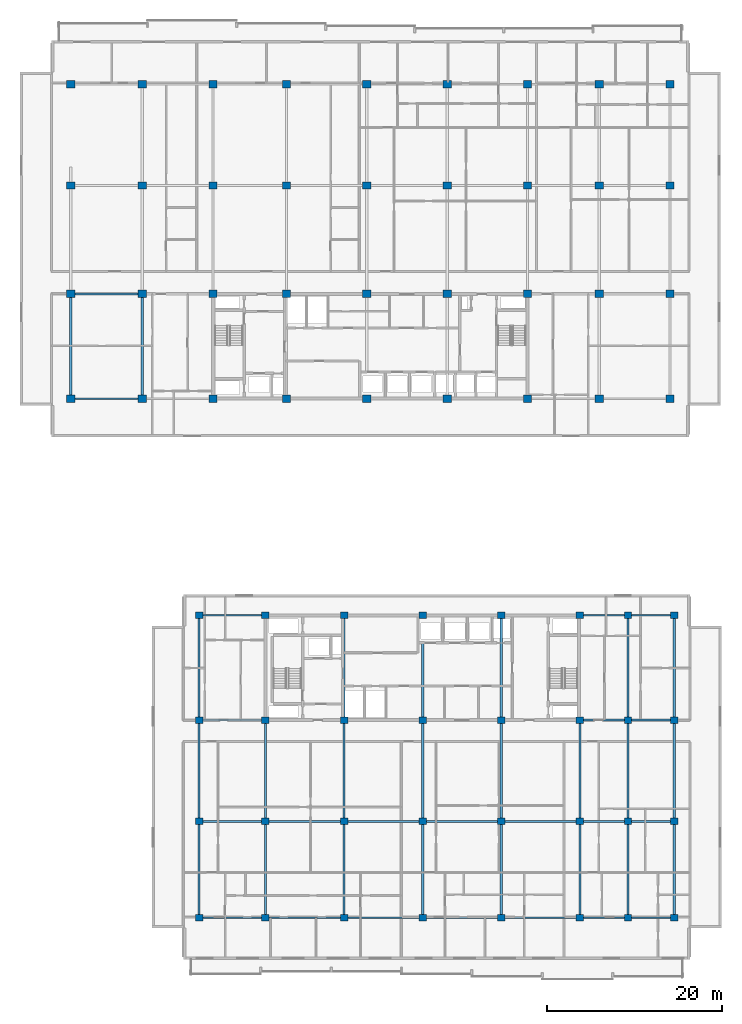
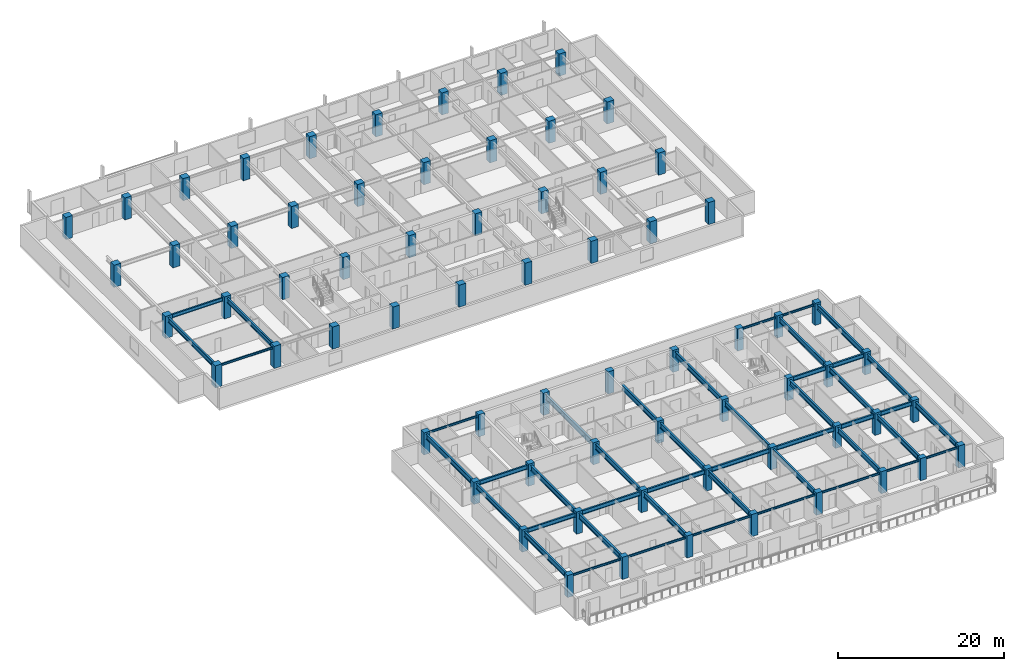
# One storey, part 1 of 22: 68 columns, 46 beams.
"""IFC4 building model written with IfcOpenShell, lengths in metres."""

from ifc_helpers import new_model, si_unit, direction, frame, origin, origin_2d, place, context, subcontext, project, spatial, rectangle, i_section, extrude, material, material_profile, profile_set, type_object, element, save


model = new_model("IFC4")

# Units and contexts
model_context = context("Model", 3, precision=1e-05, world=origin(), true_north=direction((0.0, 1.0)))
body_context = subcontext(model_context, "Body", "Model", "MODEL_VIEW")
ifc_project = project(units=[si_unit("LENGTHUNIT", "METRE"), si_unit("AREAUNIT", "SQUARE_METRE"), si_unit("VOLUMEUNIT", "CUBIC_METRE"), si_unit("PLANEANGLEUNIT", "RADIAN"), si_unit("MASSUNIT", "GRAM", prefix="KILO")], contexts=[model_context])

# Site, building, storey
site_placement = place(None, origin())
site = spatial("IfcSite", under=ifc_project, at=site_placement, CompositionType="ELEMENT")
building_placement = place(site_placement, origin())
building = spatial("IfcBuilding", under=site, at=building_placement, Name="Korimba Cascade Residences", CompositionType="ELEMENT")
storey_placement = place(building_placement, frame((0.0, 0.0, 132.800048828125)))
storey = spatial("IfcBuildingStorey", under=building, at=storey_placement, Name="L38", CompositionType="ELEMENT", Elevation=132.800048828125)

# Columns
ifc_material_1 = material(Name="Concrete C65/80", Category="concrete")
ifc_material_profile_1 = material_profile(ifc_material_1, rectangle(XDim=0.85009765625, YDim=0.75, at=origin_2d()), Name="Concrete C65/80")
ifc_profile_set_1 = profile_set([ifc_material_profile_1], Name="Concrete C65/80")
column_type_1 = type_object("IfcColumnType", Name="COL-RC-850", PredefinedType="COLUMN", material=ifc_profile_set_1)
for number, where, z_axis, x_axis, name in (
    (1, (74.5, -4.199951171875, 0.0), (0.0, 0.0, 1.0), (1.0, 0.0, 0.0), "L38 Tower 2 Column 1.1"),
    (2, (74.5, 6.800048828125, 0.0), (0.0, 0.0, 1.0), (1.0, 0.0, 0.0), "L38 Tower 2 Column 1.2"),
    (3, (74.5, 18.39990234375, 0.0), (0.0, 0.0, 1.0), (1.0, 0.0, 0.0), "L38 Tower 2 Column 1.3"),
    (4, (74.5, 30.39990234375, 0.0), (0.0, 0.0, 1.0), (1.0, 0.0, 0.0), "L38 Tower 2 Column 1.4"),
    (5, (82.10009765625, -4.199951171875, 0.0), (0.0, 0.0, 1.0), (1.0, 0.0, 0.0), "L38 Tower 2 Column 2.1"),
    (6, (82.10009765625, 6.800048828125, 0.0), (0.0, 0.0, 1.0), (1.0, 0.0, 0.0), "L38 Tower 2 Column 2.2"),
    (7, (82.10009765625, 18.39990234375, 0.0), (0.0, 0.0, 1.0), (1.0, 0.0, 0.0), "L38 Tower 2 Column 2.3"),
    (8, (82.10009765625, 30.39990234375, 0.0), (0.0, 0.0, 1.0), (1.0, 0.0, 0.0), "L38 Tower 2 Column 2.4"),
    (9, (91.10009765625, -4.199951171875, 0.0), (0.0, 0.0, 1.0), (1.0, 0.0, 0.0), "L38 Tower 2 Column 3.1"),
    (10, (91.10009765625, 6.800048828125, 0.0), (0.0, 0.0, 1.0), (1.0, 0.0, 0.0), "L38 Tower 2 Column 3.2"),
    (11, (91.10009765625, 18.39990234375, 0.0), (0.0, 0.0, 1.0), (1.0, 0.0, 0.0), "L38 Tower 2 Column 3.3"),
    (12, (91.10009765625, 30.39990234375, 0.0), (0.0, 0.0, 1.0), (1.0, 0.0, 0.0), "L38 Tower 2 Column 3.4"),
    (13, (100.10009765625, -4.199951171875, 0.0), (0.0, 0.0, 1.0), (1.0, 0.0, 0.0), "L38 Tower 2 Column 4.1"),
    (14, (100.10009765625, 6.800048828125, 0.0), (0.0, 0.0, 1.0), (1.0, 0.0, 0.0), "L38 Tower 2 Column 4.2"),
    (15, (100.10009765625, 18.39990234375, 0.0), (0.0, 0.0, 1.0), (1.0, 0.0, 0.0), "L38 Tower 2 Column 4.3"),
    (16, (100.10009765625, 30.39990234375, 0.0), (0.0, 0.0, 1.0), (1.0, 0.0, 0.0), "L38 Tower 2 Column 4.4"),
    (17, (109.10009765625, -4.199951171875, 0.0), (0.0, 0.0, 1.0), (1.0, 0.0, 0.0), "L38 Tower 2 Column 5.1"),
    (18, (109.10009765625, 6.800048828125, 0.0), (0.0, 0.0, 1.0), (1.0, 0.0, 0.0), "L38 Tower 2 Column 5.2"),
    (19, (109.10009765625, 18.39990234375, 0.0), (0.0, 0.0, 1.0), (1.0, 0.0, 0.0), "L38 Tower 2 Column 5.3"),
    (20, (109.10009765625, 30.39990234375, 0.0), (0.0, 0.0, 1.0), (1.0, 0.0, 0.0), "L38 Tower 2 Column 5.4"),
    (21, (118.10009765625, -4.199951171875, 0.0), (0.0, 0.0, 1.0), (1.0, 0.0, 0.0), "L38 Tower 2 Column 6.1"),
    (22, (118.10009765625, 6.800048828125, 0.0), (0.0, 0.0, 1.0), (1.0, 0.0, 0.0), "L38 Tower 2 Column 6.2"),
    (23, (118.10009765625, 18.39990234375, 0.0), (0.0, 0.0, 1.0), (1.0, 0.0, 0.0), "L38 Tower 2 Column 6.3"),
    (24, (118.10009765625, 30.39990234375, 0.0), (0.0, 0.0, 1.0), (1.0, 0.0, 0.0), "L38 Tower 2 Column 6.4"),
    (25, (123.60009765625, -4.199951171875, 0.0), (0.0, 0.0, 1.0), (1.0, 0.0, 0.0), "L38 Tower 2 Column 7.1"),
    (26, (123.60009765625, 6.800048828125, 0.0), (0.0, 0.0, 1.0), (1.0, 0.0, 0.0), "L38 Tower 2 Column 7.2"),
    (27, (123.60009765625, 18.39990234375, 0.0), (0.0, 0.0, 1.0), (1.0, 0.0, 0.0), "L38 Tower 2 Column 7.3"),
    (28, (123.60009765625, 30.39990234375, 0.0), (0.0, 0.0, 1.0), (1.0, 0.0, 0.0), "L38 Tower 2 Column 7.4"),
    (29, (128.89990234375, -4.199951171875, 0.0), (0.0, 0.0, 1.0), (1.0, 0.0, 0.0), "L38 Tower 2 Column 8.1"),
    (30, (128.89990234375, 6.800048828125, 0.0), (0.0, 0.0, 1.0), (1.0, 0.0, 0.0), "L38 Tower 2 Column 8.2"),
    (31, (128.89990234375, 18.39990234375, 0.0), (0.0, 0.0, 1.0), (1.0, 0.0, 0.0), "L38 Tower 2 Column 8.3"),
    (32, (128.89990234375, 30.39990234375, 0.0), (0.0, 0.0, 1.0), (1.0, 0.0, 0.0), "L38 Tower 2 Column 8.4"),
):
    element("IfcColumn", number, at=place(storey_placement, frame(where, z_axis=z_axis, x_axis=x_axis)), inside=storey, type_object=column_type_1, Name=name, PredefinedType="COLUMN", context=body_context, shape_type="SweptSolid", body=[
        extrude(rectangle(XDim=0.85009765625, YDim=0.75, at=origin_2d()), origin(), (0.0, 0.0, 1.0), 3.25),
    ])
ifc_material_profile_2 = material_profile(ifc_material_1, rectangle(XDim=0.949951171875, YDim=0.85009765625, at=origin_2d()), Name="Concrete C65/80")
ifc_profile_set_2 = profile_set([ifc_material_profile_2], Name="Concrete C65/80")
column_type_2 = type_object("IfcColumnType", Name="COL-RC-950", PredefinedType="COLUMN", material=ifc_profile_set_2)
for number, where, z_axis, x_axis, name in (
    (33, (59.800048828125, 55.199951171875, 0.0), (0.0, 0.0, 1.0), (1.0, 0.0, 0.0), "L38 Tower 1 Column 1.1"),
    (34, (59.800048828125, 67.199951171875, 0.0), (0.0, 0.0, 1.0), (1.0, 0.0, 0.0), "L38 Tower 1 Column 1.2"),
    (35, (59.800048828125, 79.60009765625, 0.0), (0.0, 0.0, 1.0), (1.0, 0.0, 0.0), "L38 Tower 1 Column 1.3"),
    (36, (59.800048828125, 91.199951171875, 0.0), (0.0, 0.0, 1.0), (1.0, 0.0, 0.0), "L38 Tower 1 Column 1.4"),
    (37, (68.0, 55.199951171875, 0.0), (0.0, 0.0, 1.0), (1.0, 0.0, 0.0), "L38 Tower 1 Column 2.1"),
    (38, (68.0, 67.199951171875, 0.0), (0.0, 0.0, 1.0), (1.0, 0.0, 0.0), "L38 Tower 1 Column 2.2"),
    (39, (68.0, 79.60009765625, 0.0), (0.0, 0.0, 1.0), (1.0, 0.0, 0.0), "L38 Tower 1 Column 2.3"),
    (40, (68.0, 91.199951171875, 0.0), (0.0, 0.0, 1.0), (1.0, 0.0, 0.0), "L38 Tower 1 Column 2.4"),
    (41, (76.10009765625, 55.199951171875, 0.0), (0.0, 0.0, 1.0), (1.0, 0.0, 0.0), "L38 Tower 1 Column 3.1"),
    (42, (76.10009765625, 67.199951171875, 0.0), (0.0, 0.0, 1.0), (1.0, 0.0, 0.0), "L38 Tower 1 Column 3.2"),
    (43, (76.10009765625, 79.60009765625, 0.0), (0.0, 0.0, 1.0), (1.0, 0.0, 0.0), "L38 Tower 1 Column 3.3"),
    (44, (76.10009765625, 91.199951171875, 0.0), (0.0, 0.0, 1.0), (1.0, 0.0, 0.0), "L38 Tower 1 Column 3.4"),
    (45, (84.5, 55.199951171875, 0.0), (0.0, 0.0, 1.0), (1.0, 0.0, 0.0), "L38 Tower 1 Column 4.1"),
    (46, (84.5, 67.199951171875, 0.0), (0.0, 0.0, 1.0), (1.0, 0.0, 0.0), "L38 Tower 1 Column 4.2"),
    (47, (84.5, 79.60009765625, 0.0), (0.0, 0.0, 1.0), (1.0, 0.0, 0.0), "L38 Tower 1 Column 4.3"),
    (48, (84.5, 91.199951171875, 0.0), (0.0, 0.0, 1.0), (1.0, 0.0, 0.0), "L38 Tower 1 Column 4.4"),
    (49, (93.699951171875, 55.199951171875, 0.0), (0.0, 0.0, 1.0), (1.0, 0.0, 0.0), "L38 Tower 1 Column 5.1"),
    (50, (93.699951171875, 67.199951171875, 0.0), (0.0, 0.0, 1.0), (1.0, 0.0, 0.0), "L38 Tower 1 Column 5.2"),
    (51, (93.699951171875, 79.60009765625, 0.0), (0.0, 0.0, 1.0), (1.0, 0.0, 0.0), "L38 Tower 1 Column 5.3"),
    (52, (93.699951171875, 91.199951171875, 0.0), (0.0, 0.0, 1.0), (1.0, 0.0, 0.0), "L38 Tower 1 Column 5.4"),
    (53, (102.89990234375, 55.199951171875, 0.0), (0.0, 0.0, 1.0), (1.0, 0.0, 0.0), "L38 Tower 1 Column 6.1"),
    (54, (102.89990234375, 67.199951171875, 0.0), (0.0, 0.0, 1.0), (1.0, 0.0, 0.0), "L38 Tower 1 Column 6.2"),
    (55, (102.89990234375, 79.60009765625, 0.0), (0.0, 0.0, 1.0), (1.0, 0.0, 0.0), "L38 Tower 1 Column 6.3"),
    (56, (102.89990234375, 91.199951171875, 0.0), (0.0, 0.0, 1.0), (1.0, 0.0, 0.0), "L38 Tower 1 Column 6.4"),
    (57, (112.10009765625, 55.199951171875, 0.0), (0.0, 0.0, 1.0), (1.0, 0.0, 0.0), "L38 Tower 1 Column 7.1"),
    (58, (112.10009765625, 67.199951171875, 0.0), (0.0, 0.0, 1.0), (1.0, 0.0, 0.0), "L38 Tower 1 Column 7.2"),
    (59, (112.10009765625, 79.60009765625, 0.0), (0.0, 0.0, 1.0), (1.0, 0.0, 0.0), "L38 Tower 1 Column 7.3"),
    (60, (112.10009765625, 91.199951171875, 0.0), (0.0, 0.0, 1.0), (1.0, 0.0, 0.0), "L38 Tower 1 Column 7.4"),
    (61, (120.300048828125, 55.199951171875, 0.0), (0.0, 0.0, 1.0), (1.0, 0.0, 0.0), "L38 Tower 1 Column 8.1"),
    (62, (120.300048828125, 67.199951171875, 0.0), (0.0, 0.0, 1.0), (1.0, 0.0, 0.0), "L38 Tower 1 Column 8.2"),
    (63, (120.300048828125, 79.60009765625, 0.0), (0.0, 0.0, 1.0), (1.0, 0.0, 0.0), "L38 Tower 1 Column 8.3"),
    (64, (120.300048828125, 91.199951171875, 0.0), (0.0, 0.0, 1.0), (1.0, 0.0, 0.0), "L38 Tower 1 Column 8.4"),
    (65, (128.39990234375, 55.199951171875, 0.0), (0.0, 0.0, 1.0), (1.0, 0.0, 0.0), "L38 Tower 1 Column 9.1"),
    (66, (128.39990234375, 67.199951171875, 0.0), (0.0, 0.0, 1.0), (1.0, 0.0, 0.0), "L38 Tower 1 Column 9.2"),
    (67, (128.39990234375, 79.60009765625, 0.0), (0.0, 0.0, 1.0), (1.0, 0.0, 0.0), "L38 Tower 1 Column 9.3"),
    (68, (128.39990234375, 91.199951171875, 0.0), (0.0, 0.0, 1.0), (1.0, 0.0, 0.0), "L38 Tower 1 Column 9.4"),
):
    element("IfcColumn", number, at=place(storey_placement, frame(where, z_axis=z_axis, x_axis=x_axis)), inside=storey, type_object=column_type_2, Name=name, PredefinedType="COLUMN", context=body_context, shape_type="SweptSolid", body=[
        extrude(rectangle(XDim=0.949951171875, YDim=0.85009765625, at=origin_2d()), origin(), (0.0, 0.0, 1.0), 3.25),
    ])

# Beams
ifc_material_2 = material(Name="Steel S355", Category="steel")
ifc_material_profile_3 = material_profile(ifc_material_2, i_section(OverallWidth=0.165771484375, OverallDepth=0.306640625, WebThickness=0.006591796875, FlangeThickness=0.01171875, FilletRadius=0.0087890625, at=origin_2d()), Name="Steel S355")
ifc_profile_set_3 = profile_set([ifc_material_profile_3], Name="Steel S355")
beam_type_1 = type_object("IfcBeamType", Name="BM-STL-UB305", PredefinedType="SPANDREL", material=ifc_profile_set_3)
beam_1_placement = place(storey_placement, frame((60.27490234375, 55.199951171875, 2.816650390625), z_axis=(1.0, 0.0, 0.0), x_axis=(0.0, 1.0, 0.0)))
element("IfcBeam", 69, at=beam_1_placement, inside=storey, type_object=beam_type_1, Name="L38 T1 E-W Girder Y1 Bay 1", PredefinedType="SPANDREL", context=body_context, shape_type="SweptSolid", body=[
    extrude(i_section(OverallWidth=0.165771484375, OverallDepth=0.306640625, WebThickness=0.006591796875, FlangeThickness=0.01171875, FilletRadius=0.0087890625, at=origin_2d()), origin(), (0.0, 0.0, 1.0), 7.25),
])
beam_2_placement = place(storey_placement, frame((74.925048828125, -4.199951171875, 2.816650390625), z_axis=(1.0, 0.0, 0.0), x_axis=(0.0, 1.0, 0.0)))
element("IfcBeam", 70, at=beam_2_placement, inside=storey, type_object=beam_type_1, Name="L38 T2 E-W Girder Y1 Bay 1", PredefinedType="SPANDREL", context=body_context, shape_type="SweptSolid", body=[
    extrude(i_section(OverallWidth=0.165771484375, OverallDepth=0.306640625, WebThickness=0.006591796875, FlangeThickness=0.01171875, FilletRadius=0.0087890625, at=origin_2d()), origin(), (0.0, 0.0, 1.0), 6.75),
])
for number, where, z_axis, x_axis, name in (
    (71, (82.52490234375, -4.199951171875, 2.816650390625), (1.0, 0.0, 0.0), (0.0, 1.0, 0.0), "L38 T2 E-W Girder Y1 Bay 2"),
    (72, (91.52490234375, -4.199951171875, 2.816650390625), (1.0, 0.0, 0.0), (0.0, 1.0, 0.0), "L38 T2 E-W Girder Y1 Bay 3"),
    (73, (100.52490234375, -4.199951171875, 2.816650390625), (1.0, 0.0, 0.0), (0.0, 1.0, 0.0), "L38 T2 E-W Girder Y1 Bay 4"),
    (74, (109.52490234375, -4.199951171875, 2.816650390625), (1.0, 0.0, 0.0), (0.0, 1.0, 0.0), "L38 T2 E-W Girder Y1 Bay 5"),
):
    element("IfcBeam", number, at=place(storey_placement, frame(where, z_axis=z_axis, x_axis=x_axis)), inside=storey, type_object=beam_type_1, Name=name, PredefinedType="SPANDREL", context=body_context, shape_type="SweptSolid", body=[
        extrude(i_section(OverallWidth=0.165771484375, OverallDepth=0.306640625, WebThickness=0.006591796875, FlangeThickness=0.01171875, FilletRadius=0.0087890625, at=origin_2d()), origin(), (0.0, 0.0, 1.0), 8.150146484375),
    ])
beam_3_placement = place(storey_placement, frame((118.52490234375, -4.199951171875, 2.816650390625), z_axis=(1.0, 0.0, 0.0), x_axis=(0.0, 1.0, 0.0)))
element("IfcBeam", 75, at=beam_3_placement, inside=storey, type_object=beam_type_1, Name="L38 T2 E-W Girder Y1 Bay 6", PredefinedType="SPANDREL", context=body_context, shape_type="SweptSolid", body=[
    extrude(i_section(OverallWidth=0.165771484375, OverallDepth=0.306640625, WebThickness=0.006591796875, FlangeThickness=0.01171875, FilletRadius=0.0087890625, at=origin_2d()), origin(), (0.0, 0.0, 1.0), 4.650146484375),
])
beam_4_placement = place(storey_placement, frame((124.02490234375, -4.199951171875, 2.816650390625), z_axis=(1.0, 0.0, 0.0), x_axis=(0.0, 1.0, 0.0)))
element("IfcBeam", 76, at=beam_4_placement, inside=storey, type_object=beam_type_1, Name="L38 T2 E-W Girder Y1 Bay 7", PredefinedType="SPANDREL", context=body_context, shape_type="SweptSolid", body=[
    extrude(i_section(OverallWidth=0.165771484375, OverallDepth=0.306640625, WebThickness=0.006591796875, FlangeThickness=0.01171875, FilletRadius=0.0087890625, at=origin_2d()), origin(), (0.0, 0.0, 1.0), 4.4501953125),
])
beam_5_placement = place(storey_placement, frame((74.925048828125, 30.39990234375, 2.816650390625), z_axis=(1.0, 0.0, 0.0), x_axis=(0.0, 1.0, 0.0)))
element("IfcBeam", 77, at=beam_5_placement, inside=storey, type_object=beam_type_1, Name="L38 T2 E-W Girder Y4 Bay 1", PredefinedType="SPANDREL", context=body_context, shape_type="SweptSolid", body=[
    extrude(i_section(OverallWidth=0.165771484375, OverallDepth=0.306640625, WebThickness=0.006591796875, FlangeThickness=0.01171875, FilletRadius=0.0087890625, at=origin_2d()), origin(), (0.0, 0.0, 1.0), 6.75),
])
beam_6_placement = place(storey_placement, frame((118.52490234375, 30.39990234375, 2.816650390625), z_axis=(1.0, 0.0, 0.0), x_axis=(0.0, 1.0, 0.0)))
element("IfcBeam", 78, at=beam_6_placement, inside=storey, type_object=beam_type_1, Name="L38 T2 E-W Girder Y4 Bay 6", PredefinedType="SPANDREL", context=body_context, shape_type="SweptSolid", body=[
    extrude(i_section(OverallWidth=0.165771484375, OverallDepth=0.306640625, WebThickness=0.006591796875, FlangeThickness=0.01171875, FilletRadius=0.0087890625, at=origin_2d()), origin(), (0.0, 0.0, 1.0), 4.650146484375),
])
beam_7_placement = place(storey_placement, frame((124.02490234375, 30.39990234375, 2.816650390625), z_axis=(1.0, 0.0, 0.0), x_axis=(0.0, 1.0, 0.0)))
element("IfcBeam", 79, at=beam_7_placement, inside=storey, type_object=beam_type_1, Name="L38 T2 E-W Girder Y4 Bay 7", PredefinedType="SPANDREL", context=body_context, shape_type="SweptSolid", body=[
    extrude(i_section(OverallWidth=0.165771484375, OverallDepth=0.306640625, WebThickness=0.006591796875, FlangeThickness=0.01171875, FilletRadius=0.0087890625, at=origin_2d()), origin(), (0.0, 0.0, 1.0), 4.4501953125),
])
ifc_material_profile_4 = material_profile(ifc_material_2, i_section(OverallWidth=0.2099609375, OverallDepth=0.53662109375, WebThickness=0.0107421875, FlangeThickness=0.017333984375, FilletRadius=0.0126953125, at=origin_2d()), Name="Steel S355")
ifc_profile_set_4 = profile_set([ifc_material_profile_4], Name="Steel S355")
beam_type_2 = type_object("IfcBeamType", Name="BM-STL-UB533", PredefinedType="BEAM", material=ifc_profile_set_4)
beam_8_placement = place(storey_placement, frame((60.27490234375, 67.199951171875, 2.70166015625), z_axis=(1.0, 0.0, 0.0), x_axis=(0.0, 1.0, 0.0)))
element("IfcBeam", 80, at=beam_8_placement, inside=storey, type_object=beam_type_2, Name="L38 T1 E-W Girder Y2 Bay 1", PredefinedType="BEAM", context=body_context, shape_type="SweptSolid", body=[
    extrude(i_section(OverallWidth=0.2099609375, OverallDepth=0.53662109375, WebThickness=0.0107421875, FlangeThickness=0.017333984375, FilletRadius=0.0126953125, at=origin_2d()), origin(), (0.0, 0.0, 1.0), 7.25),
])
ifc_material_profile_5 = material_profile(ifc_material_2, i_section(OverallWidth=0.22900390625, OverallDepth=0.6123046875, WebThickness=0.011962890625, FlangeThickness=0.01953125, FilletRadius=0.0126953125, at=origin_2d()), Name="Steel S355")
ifc_profile_set_5 = profile_set([ifc_material_profile_5], Name="Steel S355")
beam_type_3 = type_object("IfcBeamType", Name="BM-STL-UB610B", PredefinedType="BEAM", material=ifc_profile_set_5)
beam_9_placement = place(storey_placement, frame((74.925048828125, 6.800048828125, 2.663818359375), z_axis=(1.0, 0.0, 0.0), x_axis=(0.0, 1.0, 0.0)))
element("IfcBeam", 81, at=beam_9_placement, inside=storey, type_object=beam_type_3, Name="L38 T2 E-W Girder Y2 Bay 1", PredefinedType="BEAM", context=body_context, shape_type="SweptSolid", body=[
    extrude(i_section(OverallWidth=0.22900390625, OverallDepth=0.6123046875, WebThickness=0.011962890625, FlangeThickness=0.01953125, FilletRadius=0.0126953125, at=origin_2d()), origin(), (0.0, 0.0, 1.0), 6.75),
])
for number, where, z_axis, x_axis, name in (
    (82, (82.52490234375, 6.800048828125, 2.663818359375), (1.0, 0.0, 0.0), (0.0, 1.0, 0.0), "L38 T2 E-W Girder Y2 Bay 2"),
    (83, (91.52490234375, 6.800048828125, 2.663818359375), (1.0, 0.0, 0.0), (0.0, 1.0, 0.0), "L38 T2 E-W Girder Y2 Bay 3"),
    (84, (100.52490234375, 6.800048828125, 2.663818359375), (1.0, 0.0, 0.0), (0.0, 1.0, 0.0), "L38 T2 E-W Girder Y2 Bay 4"),
    (85, (109.52490234375, 6.800048828125, 2.663818359375), (1.0, 0.0, 0.0), (0.0, 1.0, 0.0), "L38 T2 E-W Girder Y2 Bay 5"),
):
    element("IfcBeam", number, at=place(storey_placement, frame(where, z_axis=z_axis, x_axis=x_axis)), inside=storey, type_object=beam_type_3, Name=name, PredefinedType="BEAM", context=body_context, shape_type="SweptSolid", body=[
        extrude(i_section(OverallWidth=0.22900390625, OverallDepth=0.6123046875, WebThickness=0.011962890625, FlangeThickness=0.01953125, FilletRadius=0.0126953125, at=origin_2d()), origin(), (0.0, 0.0, 1.0), 8.150146484375),
    ])
beam_10_placement = place(storey_placement, frame((118.52490234375, 6.800048828125, 2.663818359375), z_axis=(1.0, 0.0, 0.0), x_axis=(0.0, 1.0, 0.0)))
element("IfcBeam", 86, at=beam_10_placement, inside=storey, type_object=beam_type_3, Name="L38 T2 E-W Girder Y2 Bay 6", PredefinedType="BEAM", context=body_context, shape_type="SweptSolid", body=[
    extrude(i_section(OverallWidth=0.22900390625, OverallDepth=0.6123046875, WebThickness=0.011962890625, FlangeThickness=0.01953125, FilletRadius=0.0126953125, at=origin_2d()), origin(), (0.0, 0.0, 1.0), 4.650146484375),
])
beam_11_placement = place(storey_placement, frame((124.02490234375, 6.800048828125, 2.663818359375), z_axis=(1.0, 0.0, 0.0), x_axis=(0.0, 1.0, 0.0)))
element("IfcBeam", 87, at=beam_11_placement, inside=storey, type_object=beam_type_3, Name="L38 T2 E-W Girder Y2 Bay 7", PredefinedType="BEAM", context=body_context, shape_type="SweptSolid", body=[
    extrude(i_section(OverallWidth=0.22900390625, OverallDepth=0.6123046875, WebThickness=0.011962890625, FlangeThickness=0.01953125, FilletRadius=0.0126953125, at=origin_2d()), origin(), (0.0, 0.0, 1.0), 4.4501953125),
])
beam_12_placement = place(storey_placement, frame((74.925048828125, 18.39990234375, 2.663818359375), z_axis=(1.0, 0.0, 0.0), x_axis=(0.0, 1.0, 0.0)))
element("IfcBeam", 88, at=beam_12_placement, inside=storey, type_object=beam_type_3, Name="L38 T2 E-W Girder Y3 Bay 1", PredefinedType="BEAM", context=body_context, shape_type="SweptSolid", body=[
    extrude(i_section(OverallWidth=0.22900390625, OverallDepth=0.6123046875, WebThickness=0.011962890625, FlangeThickness=0.01953125, FilletRadius=0.0126953125, at=origin_2d()), origin(), (0.0, 0.0, 1.0), 6.75),
])
beam_13_placement = place(storey_placement, frame((118.52490234375, 18.39990234375, 2.663818359375), z_axis=(1.0, 0.0, 0.0), x_axis=(0.0, 1.0, 0.0)))
element("IfcBeam", 89, at=beam_13_placement, inside=storey, type_object=beam_type_3, Name="L38 T2 E-W Girder Y3 Bay 6", PredefinedType="BEAM", context=body_context, shape_type="SweptSolid", body=[
    extrude(i_section(OverallWidth=0.22900390625, OverallDepth=0.6123046875, WebThickness=0.011962890625, FlangeThickness=0.01953125, FilletRadius=0.0126953125, at=origin_2d()), origin(), (0.0, 0.0, 1.0), 4.650146484375),
])
beam_14_placement = place(storey_placement, frame((124.02490234375, 18.39990234375, 2.663818359375), z_axis=(1.0, 0.0, 0.0), x_axis=(0.0, 1.0, 0.0)))
element("IfcBeam", 90, at=beam_14_placement, inside=storey, type_object=beam_type_3, Name="L38 T2 E-W Girder Y3 Bay 7", PredefinedType="BEAM", context=body_context, shape_type="SweptSolid", body=[
    extrude(i_section(OverallWidth=0.22900390625, OverallDepth=0.6123046875, WebThickness=0.011962890625, FlangeThickness=0.01953125, FilletRadius=0.0126953125, at=origin_2d()), origin(), (0.0, 0.0, 1.0), 4.4501953125),
])
ifc_material_profile_6 = material_profile(ifc_material_2, i_section(OverallWidth=0.255859375, OverallDepth=0.69287109375, WebThickness=0.014404296875, FlangeThickness=0.023681640625, FilletRadius=0.01513671875, at=origin_2d()), Name="Steel S355")
ifc_profile_set_6 = profile_set([ifc_material_profile_6], Name="Steel S355")
beam_type_4 = type_object("IfcBeamType", Name="BM-STL-UB686", PredefinedType="BEAM", material=ifc_profile_set_6)
for number, where, z_axis, x_axis, name in (
    (91, (59.800048828125, 55.625, 2.62353515625), (0.0, 1.0, 0.0), (-1.0, 0.0, 0.0), "L38 T1 N-S Girder X1 Seg 1"),
    (92, (68.0, 55.625, 2.62353515625), (0.0, 1.0, 0.0), (-1.0, 0.0, 0.0), "L38 T1 N-S Girder X2 Seg 1"),
):
    element("IfcBeam", number, at=place(storey_placement, frame(where, z_axis=z_axis, x_axis=x_axis)), inside=storey, type_object=beam_type_4, Name=name, PredefinedType="BEAM", context=body_context, shape_type="SweptSolid", body=[
        extrude(i_section(OverallWidth=0.255859375, OverallDepth=0.69287109375, WebThickness=0.014404296875, FlangeThickness=0.023681640625, FilletRadius=0.01513671875, at=origin_2d()), origin(), (0.0, 0.0, 1.0), 11.14990234375),
    ])
ifc_material_profile_7 = material_profile(ifc_material_2, i_section(OverallWidth=0.26806640625, OverallDepth=0.769775390625, WebThickness=0.015625, FlangeThickness=0.025390625, FilletRadius=0.0166015625, at=origin_2d()), Name="Steel S355")
ifc_profile_set_7 = profile_set([ifc_material_profile_7], Name="Steel S355")
beam_type_5 = type_object("IfcBeamType", Name="BM-STL-UB762", PredefinedType="BEAM", material=ifc_profile_set_7)
beam_15_placement = place(storey_placement, frame((74.5, -3.824951171875, 2.5849609375), z_axis=(0.0, 1.0, 0.0), x_axis=(-1.0, 0.0, 0.0)))
element("IfcBeam", 93, at=beam_15_placement, inside=storey, type_object=beam_type_5, Name="L38 T2 N-S Girder X1 Seg 1", PredefinedType="BEAM", context=body_context, shape_type="SweptSolid", body=[
    extrude(i_section(OverallWidth=0.26806640625, OverallDepth=0.769775390625, WebThickness=0.015625, FlangeThickness=0.025390625, FilletRadius=0.0166015625, at=origin_2d()), origin(), (0.0, 0.0, 1.0), 10.25),
])
beam_16_placement = place(storey_placement, frame((74.5, 7.175048828125, 2.5849609375), z_axis=(0.0, 1.0, 0.0), x_axis=(-1.0, 0.0, 0.0)))
element("IfcBeam", 94, at=beam_16_placement, inside=storey, type_object=beam_type_5, Name="L38 T2 N-S Girder X1 Seg 2", PredefinedType="BEAM", context=body_context, shape_type="SweptSolid", body=[
    extrude(i_section(OverallWidth=0.26806640625, OverallDepth=0.769775390625, WebThickness=0.015625, FlangeThickness=0.025390625, FilletRadius=0.0166015625, at=origin_2d()), origin(), (0.0, 0.0, 1.0), 10.849853515625),
])
beam_17_placement = place(storey_placement, frame((74.5, 18.77490234375, 2.5849609375), z_axis=(0.0, 1.0, 0.0), x_axis=(-1.0, 0.0, 0.0)))
element("IfcBeam", 95, at=beam_17_placement, inside=storey, type_object=beam_type_5, Name="L38 T2 N-S Girder X1 Seg 3", PredefinedType="BEAM", context=body_context, shape_type="SweptSolid", body=[
    extrude(i_section(OverallWidth=0.26806640625, OverallDepth=0.769775390625, WebThickness=0.015625, FlangeThickness=0.025390625, FilletRadius=0.0166015625, at=origin_2d()), origin(), (0.0, 0.0, 1.0), 11.25),
])
beam_18_placement = place(storey_placement, frame((82.10009765625, -3.824951171875, 2.5849609375), z_axis=(0.0, 1.0, 0.0), x_axis=(-1.0, 0.0, 0.0)))
element("IfcBeam", 96, at=beam_18_placement, inside=storey, type_object=beam_type_5, Name="L38 T2 N-S Girder X2 Seg 1", PredefinedType="BEAM", context=body_context, shape_type="SweptSolid", body=[
    extrude(i_section(OverallWidth=0.26806640625, OverallDepth=0.769775390625, WebThickness=0.015625, FlangeThickness=0.025390625, FilletRadius=0.0166015625, at=origin_2d()), origin(), (0.0, 0.0, 1.0), 10.25),
])
beam_19_placement = place(storey_placement, frame((82.10009765625, 7.175048828125, 2.5849609375), z_axis=(0.0, 1.0, 0.0), x_axis=(-1.0, 0.0, 0.0)))
element("IfcBeam", 97, at=beam_19_placement, inside=storey, type_object=beam_type_5, Name="L38 T2 N-S Girder X2 Seg 2", PredefinedType="BEAM", context=body_context, shape_type="SweptSolid", body=[
    extrude(i_section(OverallWidth=0.26806640625, OverallDepth=0.769775390625, WebThickness=0.015625, FlangeThickness=0.025390625, FilletRadius=0.0166015625, at=origin_2d()), origin(), (0.0, 0.0, 1.0), 10.849853515625),
])
beam_20_placement = place(storey_placement, frame((91.10009765625, -3.824951171875, 2.5849609375), z_axis=(0.0, 1.0, 0.0), x_axis=(-1.0, 0.0, 0.0)))
element("IfcBeam", 98, at=beam_20_placement, inside=storey, type_object=beam_type_5, Name="L38 T2 N-S Girder X3 Seg 1", PredefinedType="BEAM", context=body_context, shape_type="SweptSolid", body=[
    extrude(i_section(OverallWidth=0.26806640625, OverallDepth=0.769775390625, WebThickness=0.015625, FlangeThickness=0.025390625, FilletRadius=0.0166015625, at=origin_2d()), origin(), (0.0, 0.0, 1.0), 10.25),
])
beam_21_placement = place(storey_placement, frame((91.10009765625, 7.175048828125, 2.5849609375), z_axis=(0.0, 1.0, 0.0), x_axis=(-1.0, 0.0, 0.0)))
element("IfcBeam", 99, at=beam_21_placement, inside=storey, type_object=beam_type_5, Name="L38 T2 N-S Girder X3 Seg 2", PredefinedType="BEAM", context=body_context, shape_type="SweptSolid", body=[
    extrude(i_section(OverallWidth=0.26806640625, OverallDepth=0.769775390625, WebThickness=0.015625, FlangeThickness=0.025390625, FilletRadius=0.0166015625, at=origin_2d()), origin(), (0.0, 0.0, 1.0), 10.849853515625),
])
beam_22_placement = place(storey_placement, frame((91.10009765625, 18.77490234375, 2.5849609375), z_axis=(0.0, 1.0, 0.0), x_axis=(-1.0, 0.0, 0.0)))
element("IfcBeam", 100, at=beam_22_placement, inside=storey, type_object=beam_type_5, Name="L38 T2 N-S Girder X3 Seg 3", PredefinedType="BEAM", context=body_context, shape_type="SweptSolid", body=[
    extrude(i_section(OverallWidth=0.26806640625, OverallDepth=0.769775390625, WebThickness=0.015625, FlangeThickness=0.025390625, FilletRadius=0.0166015625, at=origin_2d()), origin(), (0.0, 0.0, 1.0), 11.25),
])
beam_23_placement = place(storey_placement, frame((100.10009765625, -3.824951171875, 2.5849609375), z_axis=(0.0, 1.0, 0.0), x_axis=(-1.0, 0.0, 0.0)))
element("IfcBeam", 101, at=beam_23_placement, inside=storey, type_object=beam_type_5, Name="L38 T2 N-S Girder X4 Seg 1", PredefinedType="BEAM", context=body_context, shape_type="SweptSolid", body=[
    extrude(i_section(OverallWidth=0.26806640625, OverallDepth=0.769775390625, WebThickness=0.015625, FlangeThickness=0.025390625, FilletRadius=0.0166015625, at=origin_2d()), origin(), (0.0, 0.0, 1.0), 10.25),
])
beam_24_placement = place(storey_placement, frame((100.10009765625, 7.175048828125, 2.5849609375), z_axis=(0.0, 1.0, 0.0), x_axis=(-1.0, 0.0, 0.0)))
element("IfcBeam", 102, at=beam_24_placement, inside=storey, type_object=beam_type_5, Name="L38 T2 N-S Girder X4 Seg 2", PredefinedType="BEAM", context=body_context, shape_type="SweptSolid", body=[
    extrude(i_section(OverallWidth=0.26806640625, OverallDepth=0.769775390625, WebThickness=0.015625, FlangeThickness=0.025390625, FilletRadius=0.0166015625, at=origin_2d()), origin(), (0.0, 0.0, 1.0), 10.849853515625),
])
beam_25_placement = place(storey_placement, frame((100.10009765625, 18.77490234375, 2.5849609375), z_axis=(0.0, 1.0, 0.0), x_axis=(-1.0, 0.0, 0.0)))
element("IfcBeam", 103, at=beam_25_placement, inside=storey, type_object=beam_type_5, Name="L38 T2 N-S Girder X4 Seg 3", PredefinedType="BEAM", context=body_context, shape_type="SweptSolid", body=[
    extrude(i_section(OverallWidth=0.26806640625, OverallDepth=0.769775390625, WebThickness=0.015625, FlangeThickness=0.025390625, FilletRadius=0.0166015625, at=origin_2d()), origin(), (0.0, 0.0, 1.0), 8.565185546875),
])
beam_26_placement = place(storey_placement, frame((109.10009765625, -3.824951171875, 2.5849609375), z_axis=(0.0, 1.0, 0.0), x_axis=(-1.0, 0.0, 0.0)))
element("IfcBeam", 104, at=beam_26_placement, inside=storey, type_object=beam_type_5, Name="L38 T2 N-S Girder X5 Seg 1", PredefinedType="BEAM", context=body_context, shape_type="SweptSolid", body=[
    extrude(i_section(OverallWidth=0.26806640625, OverallDepth=0.769775390625, WebThickness=0.015625, FlangeThickness=0.025390625, FilletRadius=0.0166015625, at=origin_2d()), origin(), (0.0, 0.0, 1.0), 10.25),
])
beam_27_placement = place(storey_placement, frame((109.10009765625, 7.175048828125, 2.5849609375), z_axis=(0.0, 1.0, 0.0), x_axis=(-1.0, 0.0, 0.0)))
element("IfcBeam", 105, at=beam_27_placement, inside=storey, type_object=beam_type_5, Name="L38 T2 N-S Girder X5 Seg 2", PredefinedType="BEAM", context=body_context, shape_type="SweptSolid", body=[
    extrude(i_section(OverallWidth=0.26806640625, OverallDepth=0.769775390625, WebThickness=0.015625, FlangeThickness=0.025390625, FilletRadius=0.0166015625, at=origin_2d()), origin(), (0.0, 0.0, 1.0), 10.849853515625),
])
beam_28_placement = place(storey_placement, frame((109.10009765625, 18.77490234375, 2.5849609375), z_axis=(0.0, 1.0, 0.0), x_axis=(-1.0, 0.0, 0.0)))
element("IfcBeam", 106, at=beam_28_placement, inside=storey, type_object=beam_type_5, Name="L38 T2 N-S Girder X5 Seg 3", PredefinedType="BEAM", context=body_context, shape_type="SweptSolid", body=[
    extrude(i_section(OverallWidth=0.26806640625, OverallDepth=0.769775390625, WebThickness=0.015625, FlangeThickness=0.025390625, FilletRadius=0.0166015625, at=origin_2d()), origin(), (0.0, 0.0, 1.0), 11.25),
])
beam_29_placement = place(storey_placement, frame((118.10009765625, -3.824951171875, 2.5849609375), z_axis=(0.0, 1.0, 0.0), x_axis=(-1.0, 0.0, 0.0)))
element("IfcBeam", 107, at=beam_29_placement, inside=storey, type_object=beam_type_5, Name="L38 T2 N-S Girder X6 Seg 1", PredefinedType="BEAM", context=body_context, shape_type="SweptSolid", body=[
    extrude(i_section(OverallWidth=0.26806640625, OverallDepth=0.769775390625, WebThickness=0.015625, FlangeThickness=0.025390625, FilletRadius=0.0166015625, at=origin_2d()), origin(), (0.0, 0.0, 1.0), 10.25),
])
beam_30_placement = place(storey_placement, frame((118.10009765625, 7.175048828125, 2.5849609375), z_axis=(0.0, 1.0, 0.0), x_axis=(-1.0, 0.0, 0.0)))
element("IfcBeam", 108, at=beam_30_placement, inside=storey, type_object=beam_type_5, Name="L38 T2 N-S Girder X6 Seg 2", PredefinedType="BEAM", context=body_context, shape_type="SweptSolid", body=[
    extrude(i_section(OverallWidth=0.26806640625, OverallDepth=0.769775390625, WebThickness=0.015625, FlangeThickness=0.025390625, FilletRadius=0.0166015625, at=origin_2d()), origin(), (0.0, 0.0, 1.0), 10.849853515625),
])
beam_31_placement = place(storey_placement, frame((123.60009765625, -3.824951171875, 2.5849609375), z_axis=(0.0, 1.0, 0.0), x_axis=(-1.0, 0.0, 0.0)))
element("IfcBeam", 109, at=beam_31_placement, inside=storey, type_object=beam_type_5, Name="L38 T2 N-S Girder X7 Seg 1", PredefinedType="BEAM", context=body_context, shape_type="SweptSolid", body=[
    extrude(i_section(OverallWidth=0.26806640625, OverallDepth=0.769775390625, WebThickness=0.015625, FlangeThickness=0.025390625, FilletRadius=0.0166015625, at=origin_2d()), origin(), (0.0, 0.0, 1.0), 10.25),
])
beam_32_placement = place(storey_placement, frame((123.60009765625, 7.175048828125, 2.5849609375), z_axis=(0.0, 1.0, 0.0), x_axis=(-1.0, 0.0, 0.0)))
element("IfcBeam", 110, at=beam_32_placement, inside=storey, type_object=beam_type_5, Name="L38 T2 N-S Girder X7 Seg 2", PredefinedType="BEAM", context=body_context, shape_type="SweptSolid", body=[
    extrude(i_section(OverallWidth=0.26806640625, OverallDepth=0.769775390625, WebThickness=0.015625, FlangeThickness=0.025390625, FilletRadius=0.0166015625, at=origin_2d()), origin(), (0.0, 0.0, 1.0), 10.849853515625),
])
beam_33_placement = place(storey_placement, frame((123.60009765625, 18.77490234375, 2.5849609375), z_axis=(0.0, 1.0, 0.0), x_axis=(-1.0, 0.0, 0.0)))
element("IfcBeam", 111, at=beam_33_placement, inside=storey, type_object=beam_type_5, Name="L38 T2 N-S Girder X7 Seg 3", PredefinedType="BEAM", context=body_context, shape_type="SweptSolid", body=[
    extrude(i_section(OverallWidth=0.26806640625, OverallDepth=0.769775390625, WebThickness=0.015625, FlangeThickness=0.025390625, FilletRadius=0.0166015625, at=origin_2d()), origin(), (0.0, 0.0, 1.0), 11.25),
])
beam_34_placement = place(storey_placement, frame((128.89990234375, -3.824951171875, 2.5849609375), z_axis=(0.0, 1.0, 0.0), x_axis=(-1.0, 0.0, 0.0)))
element("IfcBeam", 112, at=beam_34_placement, inside=storey, type_object=beam_type_5, Name="L38 T2 N-S Girder X8 Seg 1", PredefinedType="BEAM", context=body_context, shape_type="SweptSolid", body=[
    extrude(i_section(OverallWidth=0.26806640625, OverallDepth=0.769775390625, WebThickness=0.015625, FlangeThickness=0.025390625, FilletRadius=0.0166015625, at=origin_2d()), origin(), (0.0, 0.0, 1.0), 10.25),
])
beam_35_placement = place(storey_placement, frame((128.89990234375, 7.175048828125, 2.5849609375), z_axis=(0.0, 1.0, 0.0), x_axis=(-1.0, 0.0, 0.0)))
element("IfcBeam", 113, at=beam_35_placement, inside=storey, type_object=beam_type_5, Name="L38 T2 N-S Girder X8 Seg 2", PredefinedType="BEAM", context=body_context, shape_type="SweptSolid", body=[
    extrude(i_section(OverallWidth=0.26806640625, OverallDepth=0.769775390625, WebThickness=0.015625, FlangeThickness=0.025390625, FilletRadius=0.0166015625, at=origin_2d()), origin(), (0.0, 0.0, 1.0), 10.849853515625),
])
beam_36_placement = place(storey_placement, frame((128.89990234375, 18.77490234375, 2.5849609375), z_axis=(0.0, 1.0, 0.0), x_axis=(-1.0, 0.0, 0.0)))
element("IfcBeam", 114, at=beam_36_placement, inside=storey, type_object=beam_type_5, Name="L38 T2 N-S Girder X8 Seg 3", PredefinedType="BEAM", context=body_context, shape_type="SweptSolid", body=[
    extrude(i_section(OverallWidth=0.26806640625, OverallDepth=0.769775390625, WebThickness=0.015625, FlangeThickness=0.025390625, FilletRadius=0.0166015625, at=origin_2d()), origin(), (0.0, 0.0, 1.0), 11.25),
])

save(model, "model.ifc")
